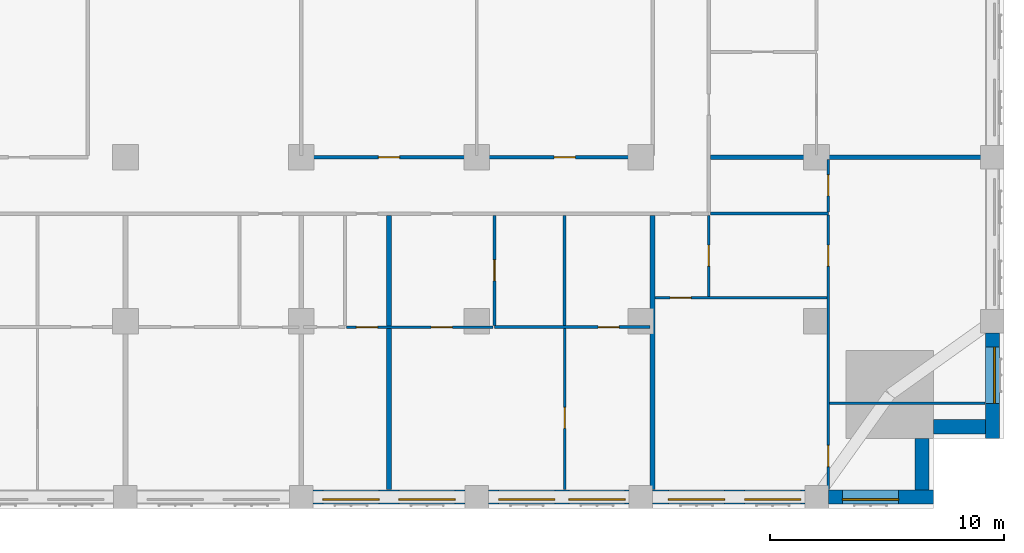
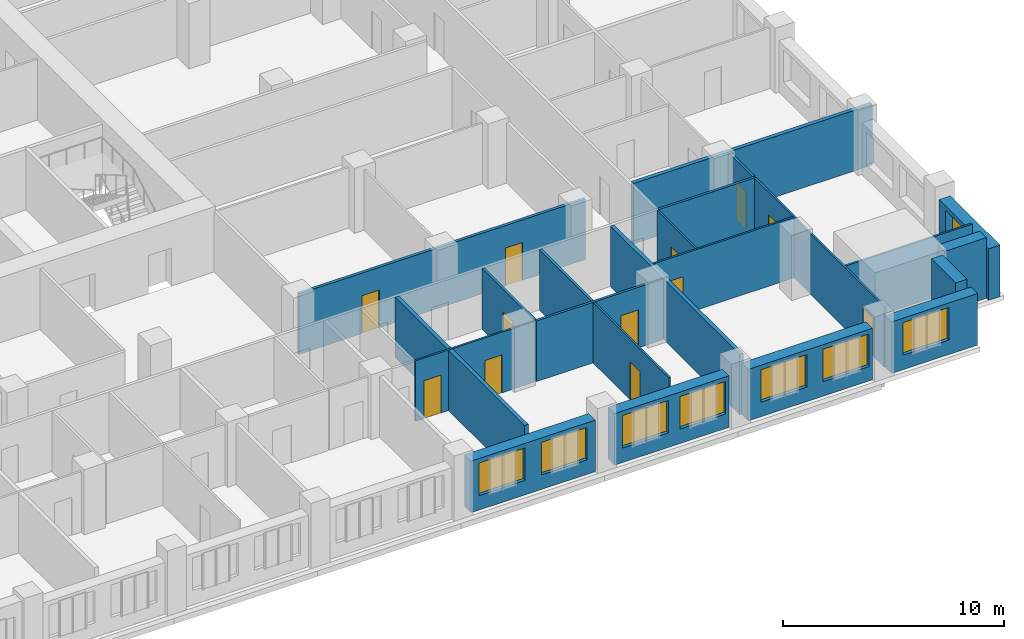
# One storey, part 6 of 14: 22 walls, 12 doors, 8 windows, 20 openings.
"""IFC4 building model written with IfcOpenShell, lengths in metres."""

from ifc_helpers import new_model, si_unit, direction, frame, frame_2d, origin, place, context, subcontext, project, spatial, rectangle, extrude, material, layer, layer_set, type_object, element, fill, save


model = new_model("IFC4")

# Units and contexts
model_context = context("Model", 3, precision=1e-05, world=origin(), true_north=direction((0.0, 1.0)))
body_context = subcontext(model_context, "Body", "Model", "MODEL_VIEW")
ifc_project = project(units=[si_unit("LENGTHUNIT", "METRE"), si_unit("AREAUNIT", "SQUARE_METRE"), si_unit("VOLUMEUNIT", "CUBIC_METRE"), si_unit("PLANEANGLEUNIT", "RADIAN"), si_unit("MASSUNIT", "GRAM", prefix="KILO")], contexts=[model_context])

# Site, building, storey
site_placement = place(None, origin())
site = spatial("IfcSite", under=ifc_project, at=site_placement, CompositionType="ELEMENT")
building_placement = place(site_placement, origin())
building = spatial("IfcBuilding", under=site, at=building_placement, Name="Tamorin Gate", CompositionType="ELEMENT")
storey_placement = place(building_placement, frame((0.0, 0.0, 107.89990234375)))
storey = spatial("IfcBuildingStorey", under=building, at=storey_placement, Name="L26", CompositionType="ELEMENT", Elevation=107.89990234375)

# Wall, openings, windows
ifc_material_1 = material(Name="Precast concrete C40/50", Category="concrete")
ifc_layer_1 = layer(ifc_material_1, 0.60009765625)
ifc_layer_set_1 = layer_set([ifc_layer_1], Name="Precast concrete C40/50")
wall_type_1 = type_object("IfcWallType", Name="Board-marked concrete facade panel 600", PredefinedType="SOLIDWALL", material=ifc_layer_set_1)
wall_1_placement = place(storey_placement, frame((60.5, 38.0, 0.0), z_axis=(0.0, 0.0, 1.0), x_axis=(1.0, 0.0, 0.0)))
wall_1 = element("IfcWall", 1, at=wall_1_placement, inside=storey, type_object=wall_type_1, Name="Facade panel", PredefinedType="SOLIDWALL", context=body_context, shape_type="SweptSolid", body=[
    extrude(rectangle(XDim=6.5, YDim=0.60009765625, at=frame_2d((3.25, 0.0))), origin(), (0.0, 0.0, 1.0), 2.85009765625),
])
opening_1_placement = place(wall_1_placement, frame((0.425048828125, 0.0, 0.800048828125)))
opening_1 = element("IfcOpeningElement", 2, at=opening_1_placement, cuts=wall_1, Name="Opening WN1", PredefinedType="OPENING", context=body_context, shape_type="SweptSolid", body=[
    extrude(rectangle(XDim=2.39990234375, YDim=1.800048828125, at=frame_2d((1.199951171875, 0.89990234375))), frame((0.0, 0.31005859375, 0.0), z_axis=(0.0, -1.0, 0.0), x_axis=(1.0, 0.0, 0.0)), (0.0, 0.0, 1.0), 0.6201171875),
])
opening_2_placement = place(wall_1_placement, frame((3.675048828125, 0.0, 0.800048828125)))
opening_2 = element("IfcOpeningElement", 3, at=opening_2_placement, cuts=wall_1, Name="Opening WN1", PredefinedType="OPENING", context=body_context, shape_type="SweptSolid", body=[
    extrude(rectangle(XDim=2.39990234375, YDim=1.800048828125, at=frame_2d((1.199951171875, 0.89990234375))), frame((0.0, 0.31005859375, 0.0), z_axis=(0.0, -1.0, 0.0), x_axis=(1.0, 0.0, 0.0)), (0.0, 0.0, 1.0), 0.6201171875),
])
ifc_material_2 = material(Name="Clear glass in aluminium frame", Category="aluminium")
window_type = type_object("IfcWindowType", Name="Deep-set window 2400x1800", PartitioningType="SINGLE_PANEL", PredefinedType="WINDOW", material=ifc_material_2)
window_1_placement = place(opening_1_placement, origin())
window_1 = element("IfcWindow", 4, at=window_1_placement, inside=storey, type_object=window_type, Name="Deep-set window", OverallHeight=1.800048828125, OverallWidth=2.39990234375, PartitioningType="SINGLE_PANEL", PredefinedType="WINDOW", context=body_context, shape_type="SweptSolid", body=[
    extrude(rectangle(XDim=2.39990234375, YDim=1.800048828125, at=frame_2d((1.199951171875, 0.89990234375))), frame((0.0, -0.070068359375, 0.0), z_axis=(0.0, -1.0, 0.0), x_axis=(1.0, 0.0, 0.0)), (0.0, 0.0, 1.0), 0.06005859375),
])
fill(opening_1, window_1)
window_2_placement = place(opening_2_placement, origin())
window_2 = element("IfcWindow", 5, at=window_2_placement, inside=storey, type_object=window_type, Name="Deep-set window", OverallHeight=1.800048828125, OverallWidth=2.39990234375, PartitioningType="SINGLE_PANEL", PredefinedType="WINDOW", context=body_context, shape_type="SweptSolid", body=[
    extrude(rectangle(XDim=2.39990234375, YDim=1.800048828125, at=frame_2d((1.199951171875, 0.89990234375))), frame((0.0, -0.070068359375, 0.0), z_axis=(0.0, -1.0, 0.0), x_axis=(1.0, 0.0, 0.0)), (0.0, 0.0, 1.0), 0.06005859375),
])
fill(opening_2, window_2)

wall_2_placement = place(storey_placement, frame((68.0, 38.0, 0.0), z_axis=(0.0, 0.0, 1.0), x_axis=(1.0, 0.0, 0.0)))
wall_2 = element("IfcWall", 6, at=wall_2_placement, inside=storey, type_object=wall_type_1, Name="Facade panel", PredefinedType="SOLIDWALL", context=body_context, shape_type="SweptSolid", body=[
    extrude(rectangle(XDim=6.0, YDim=0.60009765625, at=frame_2d((3.0, 0.0))), origin(), (0.0, 0.0, 1.0), 2.85009765625),
])
opening_3_placement = place(wall_2_placement, frame((0.425048828125, 0.0, 0.800048828125)))
opening_3 = element("IfcOpeningElement", 7, at=opening_3_placement, cuts=wall_2, Name="Opening WN1", PredefinedType="OPENING", context=body_context, shape_type="SweptSolid", body=[
    extrude(rectangle(XDim=2.39990234375, YDim=1.800048828125, at=frame_2d((1.199951171875, 0.89990234375))), frame((0.0, 0.31005859375, 0.0), z_axis=(0.0, -1.0, 0.0), x_axis=(1.0, 0.0, 0.0)), (0.0, 0.0, 1.0), 0.6201171875),
])
opening_4_placement = place(wall_2_placement, frame((3.425048828125, 0.0, 0.800048828125)))
opening_4 = element("IfcOpeningElement", 8, at=opening_4_placement, cuts=wall_2, Name="Opening WN1", PredefinedType="OPENING", context=body_context, shape_type="SweptSolid", body=[
    extrude(rectangle(XDim=2.39990234375, YDim=1.800048828125, at=frame_2d((1.199951171875, 0.89990234375))), frame((0.0, 0.31005859375, 0.0), z_axis=(0.0, -1.0, 0.0), x_axis=(1.0, 0.0, 0.0)), (0.0, 0.0, 1.0), 0.6201171875),
])
window_3_placement = place(opening_3_placement, origin())
window_3 = element("IfcWindow", 9, at=window_3_placement, inside=storey, type_object=window_type, Name="Deep-set window", OverallHeight=1.800048828125, OverallWidth=2.39990234375, PartitioningType="SINGLE_PANEL", PredefinedType="WINDOW", context=body_context, shape_type="SweptSolid", body=[
    extrude(rectangle(XDim=2.39990234375, YDim=1.800048828125, at=frame_2d((1.199951171875, 0.89990234375))), frame((0.0, -0.070068359375, 0.0), z_axis=(0.0, -1.0, 0.0), x_axis=(1.0, 0.0, 0.0)), (0.0, 0.0, 1.0), 0.06005859375),
])
fill(opening_3, window_3)
window_4_placement = place(opening_4_placement, origin())
window_4 = element("IfcWindow", 10, at=window_4_placement, inside=storey, type_object=window_type, Name="Deep-set window", OverallHeight=1.800048828125, OverallWidth=2.39990234375, PartitioningType="SINGLE_PANEL", PredefinedType="WINDOW", context=body_context, shape_type="SweptSolid", body=[
    extrude(rectangle(XDim=2.39990234375, YDim=1.800048828125, at=frame_2d((1.199951171875, 0.89990234375))), frame((0.0, -0.070068359375, 0.0), z_axis=(0.0, -1.0, 0.0), x_axis=(1.0, 0.0, 0.0)), (0.0, 0.0, 1.0), 0.06005859375),
])
fill(opening_4, window_4)

wall_3_placement = place(storey_placement, frame((75.0, 38.0, 0.0), z_axis=(0.0, 0.0, 1.0), x_axis=(1.0, 0.0, 0.0)))
wall_3 = element("IfcWall", 11, at=wall_3_placement, inside=storey, type_object=wall_type_1, Name="Facade panel", PredefinedType="SOLIDWALL", context=body_context, shape_type="SweptSolid", body=[
    extrude(rectangle(XDim=6.5, YDim=0.60009765625, at=frame_2d((3.25, 0.0))), origin(), (0.0, 0.0, 1.0), 2.85009765625),
])
opening_5_placement = place(wall_3_placement, frame((0.675048828125, 0.0, 0.800048828125)))
opening_5 = element("IfcOpeningElement", 12, at=opening_5_placement, cuts=wall_3, Name="Opening WN1", PredefinedType="OPENING", context=body_context, shape_type="SweptSolid", body=[
    extrude(rectangle(XDim=2.39990234375, YDim=1.800048828125, at=frame_2d((1.199951171875, 0.89990234375))), frame((0.0, 0.31005859375, 0.0), z_axis=(0.0, -1.0, 0.0), x_axis=(1.0, 0.0, 0.0)), (0.0, 0.0, 1.0), 0.6201171875),
])
opening_6_placement = place(wall_3_placement, frame((3.925048828125, 0.0, 0.800048828125)))
opening_6 = element("IfcOpeningElement", 13, at=opening_6_placement, cuts=wall_3, Name="Opening WN1", PredefinedType="OPENING", context=body_context, shape_type="SweptSolid", body=[
    extrude(rectangle(XDim=2.39990234375, YDim=1.800048828125, at=frame_2d((1.199951171875, 0.89990234375))), frame((0.0, 0.31005859375, 0.0), z_axis=(0.0, -1.0, 0.0), x_axis=(1.0, 0.0, 0.0)), (0.0, 0.0, 1.0), 0.6201171875),
])
window_5_placement = place(opening_5_placement, origin())
window_5 = element("IfcWindow", 14, at=window_5_placement, inside=storey, type_object=window_type, Name="Deep-set window", OverallHeight=1.800048828125, OverallWidth=2.39990234375, PartitioningType="SINGLE_PANEL", PredefinedType="WINDOW", context=body_context, shape_type="SweptSolid", body=[
    extrude(rectangle(XDim=2.39990234375, YDim=1.800048828125, at=frame_2d((1.199951171875, 0.89990234375))), frame((0.0, -0.070068359375, 0.0), z_axis=(0.0, -1.0, 0.0), x_axis=(1.0, 0.0, 0.0)), (0.0, 0.0, 1.0), 0.06005859375),
])
fill(opening_5, window_5)
window_6_placement = place(opening_6_placement, origin())
window_6 = element("IfcWindow", 15, at=window_6_placement, inside=storey, type_object=window_type, Name="Deep-set window", OverallHeight=1.800048828125, OverallWidth=2.39990234375, PartitioningType="SINGLE_PANEL", PredefinedType="WINDOW", context=body_context, shape_type="SweptSolid", body=[
    extrude(rectangle(XDim=2.39990234375, YDim=1.800048828125, at=frame_2d((1.199951171875, 0.89990234375))), frame((0.0, -0.070068359375, 0.0), z_axis=(0.0, -1.0, 0.0), x_axis=(1.0, 0.0, 0.0)), (0.0, 0.0, 1.0), 0.06005859375),
])
fill(opening_6, window_6)

# Wall, opening, window
wall_4_placement = place(storey_placement, frame((82.5, 38.0, 0.0), z_axis=(0.0, 0.0, 1.0), x_axis=(1.0, 0.0, 0.0)))
wall_4 = element("IfcWall", 16, at=wall_4_placement, inside=storey, type_object=wall_type_1, Name="Facade panel", PredefinedType="SOLIDWALL", context=body_context, shape_type="SweptSolid", body=[
    extrude(rectangle(XDim=4.5, YDim=0.60009765625, at=frame_2d((2.25, 0.0))), origin(), (0.0, 0.0, 1.0), 2.85009765625),
])
opening_7_placement = place(wall_4_placement, frame((0.60009765625, 0.0, 0.800048828125)))
opening_7 = element("IfcOpeningElement", 17, at=opening_7_placement, cuts=wall_4, Name="Opening WN1", PredefinedType="OPENING", context=body_context, shape_type="SweptSolid", body=[
    extrude(rectangle(XDim=2.39990234375, YDim=1.800048828125, at=frame_2d((1.199951171875, 0.89990234375))), frame((0.0, 0.31005859375, 0.0), z_axis=(0.0, -1.0, 0.0), x_axis=(1.0, 0.0, 0.0)), (0.0, 0.0, 1.0), 0.6201171875),
])
window_7_placement = place(opening_7_placement, origin())
window_7 = element("IfcWindow", 18, at=window_7_placement, inside=storey, type_object=window_type, Name="Deep-set window", OverallHeight=1.800048828125, OverallWidth=2.39990234375, PartitioningType="SINGLE_PANEL", PredefinedType="WINDOW", context=body_context, shape_type="SweptSolid", body=[
    extrude(rectangle(XDim=2.39990234375, YDim=1.800048828125, at=frame_2d((1.199951171875, 0.89990234375))), frame((0.0, -0.070068359375, 0.0), z_axis=(0.0, -1.0, 0.0), x_axis=(1.0, 0.0, 0.0)), (0.0, 0.0, 1.0), 0.06005859375),
])
fill(opening_7, window_7)

# Walls
for number, where, z_axis, x_axis, name in (
    (19, (86.5, 38.300048828125, 0.0), (0.0, 0.0, 1.0), (0.0, 1.0, 0.0), "Facade panel"),
    (20, (87.0, 41.0, 0.0), (0.0, 0.0, 1.0), (1.0, 0.0, 0.0), "Facade panel"),
):
    element("IfcWall", number, at=place(storey_placement, frame(where, z_axis=z_axis, x_axis=x_axis)), inside=storey, type_object=wall_type_1, Name=name, PredefinedType="SOLIDWALL", context=body_context, shape_type="SweptSolid", body=[
        extrude(rectangle(XDim=2.199951171875, YDim=0.60009765625, at=frame_2d((1.10009765625, 0.0))), origin(), (0.0, 0.0, 1.0), 3.35009765625),
    ])

# Wall, opening, window
wall_5_placement = place(storey_placement, frame((89.5, 40.5, 0.0), z_axis=(0.0, 0.0, 1.0), x_axis=(0.0, 1.0, 0.0)))
wall_5 = element("IfcWall", 21, at=wall_5_placement, inside=storey, type_object=wall_type_1, Name="Facade panel", PredefinedType="SOLIDWALL", context=body_context, shape_type="SweptSolid", body=[
    extrude(rectangle(XDim=4.5, YDim=0.60009765625, at=frame_2d((2.25, 0.0))), origin(), (0.0, 0.0, 1.0), 2.85009765625),
])
opening_8_placement = place(wall_5_placement, frame((1.5, 0.0, 0.800048828125)))
opening_8 = element("IfcOpeningElement", 22, at=opening_8_placement, cuts=wall_5, Name="Opening WN1", PredefinedType="OPENING", context=body_context, shape_type="SweptSolid", body=[
    extrude(rectangle(XDim=2.39990234375, YDim=1.800048828125, at=frame_2d((1.199951171875, 0.89990234375))), frame((0.0, 0.31005859375, 0.0), z_axis=(0.0, -1.0, 0.0), x_axis=(1.0, 0.0, 0.0)), (0.0, 0.0, 1.0), 0.6201171875),
])
window_8_placement = place(opening_8_placement, origin())
window_8 = element("IfcWindow", 23, at=window_8_placement, inside=storey, type_object=window_type, Name="Deep-set window", OverallHeight=1.800048828125, OverallWidth=2.39990234375, PartitioningType="SINGLE_PANEL", PredefinedType="WINDOW", context=body_context, shape_type="SweptSolid", body=[
    extrude(rectangle(XDim=2.39990234375, YDim=1.800048828125, at=frame_2d((1.199951171875, 0.89990234375))), frame((0.0, -0.070068359375, 0.0), z_axis=(0.0, -1.0, 0.0), x_axis=(1.0, 0.0, 0.0)), (0.0, 0.0, 1.0), 0.06005859375),
])
fill(opening_8, window_8)

# Wall, openings, doors
ifc_material_3 = material(Name="Gypsum board partition")
ifc_layer_2 = layer(ifc_material_3, 0.14990234375)
ifc_layer_set_2 = layer_set([ifc_layer_2], Name="Corridor wall 150")
wall_type_2 = type_object("IfcWallType", Name="Corridor wall 150", PredefinedType="PARTITIONING", material=ifc_layer_set_2)
wall_6_placement = place(storey_placement, frame((60.0, 52.5, 0.0), z_axis=(0.0, 0.0, 1.0), x_axis=(1.0, 0.0, 0.0)))
wall_6 = element("IfcWall", 24, at=wall_6_placement, inside=storey, type_object=wall_type_2, Name="Corridor wall 150", PredefinedType="PARTITIONING", context=body_context, shape_type="SweptSolid", body=[
    extrude(rectangle(XDim=15.0, YDim=0.14990234375, at=frame_2d((7.5, 0.0))), origin(), (0.0, 0.0, 1.0), 3.35009765625),
])
opening_9_placement = place(wall_6_placement, frame((3.300048828125, 0.0, 0.0)))
opening_9 = element("IfcOpeningElement", 25, at=opening_9_placement, cuts=wall_6, Name="Opening DH5074", PredefinedType="OPENING", context=body_context, shape_type="SweptSolid", body=[
    extrude(rectangle(XDim=0.89990234375, YDim=2.10009765625, at=frame_2d((0.449951171875, 1.050048828125))), frame((0.0, 0.0849609375, 0.0), z_axis=(0.0, -1.0, 0.0), x_axis=(1.0, 0.0, 0.0)), (0.0, 0.0, 1.0), 0.169921875),
])
opening_10_placement = place(wall_6_placement, frame((10.800048828125, 0.0, 0.0)))
opening_10 = element("IfcOpeningElement", 26, at=opening_10_placement, cuts=wall_6, Name="Opening DH5075", PredefinedType="OPENING", context=body_context, shape_type="SweptSolid", body=[
    extrude(rectangle(XDim=0.89990234375, YDim=2.10009765625, at=frame_2d((0.449951171875, 1.050048828125))), frame((0.0, 0.0849609375, 0.0), z_axis=(0.0, -1.0, 0.0), x_axis=(1.0, 0.0, 0.0)), (0.0, 0.0, 1.0), 0.169921875),
])
ifc_material_4 = material(Name="Timber door leaf", Category="wood")
door_type_1 = type_object("IfcDoorType", Name="Door 900 x 2100 FD30S", OperationType="NOTDEFINED", PredefinedType="DOOR", material=ifc_material_4)
door_1_placement = place(opening_9_placement, origin())
door_1 = element("IfcDoor", 27, at=door_1_placement, inside=storey, type_object=door_type_1, Name="Door DH5074", OperationType="SINGLE_SWING_LEFT", OverallHeight=2.10009765625, OverallWidth=0.89990234375, PredefinedType="DOOR", context=body_context, shape_type="SweptSolid", body=[
    extrude(rectangle(XDim=0.89990234375, YDim=2.10009765625, at=frame_2d((0.449951171875, 1.050048828125))), frame((0.0, 0.02490234375, 0.0), z_axis=(0.0, -1.0, 0.0), x_axis=(1.0, 0.0, 0.0)), (0.0, 0.0, 1.0), 0.050048828125),
])
fill(opening_9, door_1)
door_2_placement = place(opening_10_placement, origin())
door_2 = element("IfcDoor", 28, at=door_2_placement, inside=storey, type_object=door_type_1, Name="Door DH5075", OperationType="SINGLE_SWING_LEFT", OverallHeight=2.10009765625, OverallWidth=0.89990234375, PredefinedType="DOOR", context=body_context, shape_type="SweptSolid", body=[
    extrude(rectangle(XDim=0.89990234375, YDim=2.10009765625, at=frame_2d((0.449951171875, 1.050048828125))), frame((0.0, 0.02490234375, 0.0), z_axis=(0.0, -1.0, 0.0), x_axis=(1.0, 0.0, 0.0)), (0.0, 0.0, 1.0), 0.050048828125),
])
fill(opening_10, door_2)

# Walls
ifc_layer_3 = layer(ifc_material_3, 0.199951171875)
ifc_layer_set_3 = layer_set([ifc_layer_3], Name="Demising wall 200")
wall_type_3 = type_object("IfcWallType", Name="Demising wall 200", PredefinedType="PARTITIONING", material=ifc_layer_set_3)
wall_7_placement = place(storey_placement, frame((77.47509765625, 52.5, 0.0), z_axis=(0.0, 0.0, 1.0), x_axis=(1.0, 0.0, 0.0)))
element("IfcWall", 29, at=wall_7_placement, inside=storey, type_object=wall_type_3, Name="Demising wall 200", PredefinedType="PARTITIONING", context=body_context, shape_type="SweptSolid", body=[
    extrude(rectangle(XDim=12.52490234375, YDim=0.199951171875, at=frame_2d((6.262451171875, 0.0))), origin(), (0.0, 0.0, 1.0), 3.35009765625),
])
for number, where, z_axis, x_axis, name in (
    (30, (63.75, 38.31005859375, 0.0), (0.0, 0.0, 1.0), (0.0, 1.0, 0.0), "Demising wall 200"),
    (31, (75.0, 38.31005859375, 0.0), (0.0, 0.0, 1.0), (0.0, 1.0, 0.0), "Demising wall 200"),
):
    element("IfcWall", number, at=place(storey_placement, frame(where, z_axis=z_axis, x_axis=x_axis)), inside=storey, type_object=wall_type_3, Name=name, PredefinedType="PARTITIONING", context=body_context, shape_type="SweptSolid", body=[
        extrude(rectangle(XDim=11.71484375, YDim=0.199951171875, at=frame_2d((5.857421875, 0.0))), origin(), (0.0, 0.0, 1.0), 3.35009765625),
    ])
ifc_layer_4 = layer(ifc_material_3, 0.10009765625)
ifc_layer_set_4 = layer_set([ifc_layer_4], Name="Room partition 100")
wall_type_4 = type_object("IfcWallType", Name="Room partition 100", PredefinedType="PARTITIONING", material=ifc_layer_set_4)
wall_8_placement = place(storey_placement, frame((82.550048828125, 42.0, 0.0), z_axis=(0.0, 0.0, 1.0), x_axis=(1.0, 0.0, 0.0)))
element("IfcWall", 32, at=wall_8_placement, inside=storey, type_object=wall_type_4, Name="Room partition 100", PredefinedType="PARTITIONING", context=body_context, shape_type="SweptSolid", body=[
    extrude(rectangle(XDim=6.639892578125, YDim=0.10009765625, at=frame_2d((3.31982421875, 0.0))), origin(), (0.0, 0.0, 1.0), 3.35009765625),
])

# Wall, openings, doors
wall_9_placement = place(storey_placement, frame((61.9375, 45.25, 0.0), z_axis=(0.0, 0.0, 1.0), x_axis=(1.0, 0.0, 0.0)))
wall_9 = element("IfcWall", 33, at=wall_9_placement, inside=storey, type_object=wall_type_4, Name="Room partition 100", PredefinedType="PARTITIONING", context=body_context, shape_type="SweptSolid", body=[
    extrude(rectangle(XDim=6.25, YDim=0.10009765625, at=frame_2d((3.125, 0.0))), origin(), (0.0, 0.0, 1.0), 3.35009765625),
])
opening_11_placement = place(wall_9_placement, frame((0.425048828125, 0.0, 0.0)))
opening_11 = element("IfcOpeningElement", 34, at=opening_11_placement, cuts=wall_9, Name="Opening DH5015", PredefinedType="OPENING", context=body_context, shape_type="SweptSolid", body=[
    extrude(rectangle(XDim=0.89990234375, YDim=2.10009765625, at=frame_2d((0.449951171875, 1.050048828125))), frame((0.0, 0.06005859375, 0.0), z_axis=(0.0, -1.0, 0.0), x_axis=(1.0, 0.0, 0.0)), (0.0, 0.0, 1.0), 0.1201171875),
])
opening_12_placement = place(wall_9_placement, frame((3.612548828125, 0.0, 0.0)))
opening_12 = element("IfcOpeningElement", 35, at=opening_12_placement, cuts=wall_9, Name="Opening DH5017", PredefinedType="OPENING", context=body_context, shape_type="SweptSolid", body=[
    extrude(rectangle(XDim=0.89990234375, YDim=2.10009765625, at=frame_2d((0.449951171875, 1.050048828125))), frame((0.0, 0.06005859375, 0.0), z_axis=(0.0, -1.0, 0.0), x_axis=(1.0, 0.0, 0.0)), (0.0, 0.0, 1.0), 0.1201171875),
])
door_type_2 = type_object("IfcDoorType", Name="Door 900 x 2100", OperationType="NOTDEFINED", PredefinedType="DOOR", material=ifc_material_4)
door_3_placement = place(opening_11_placement, origin())
door_3 = element("IfcDoor", 36, at=door_3_placement, inside=storey, type_object=door_type_2, Name="Door DH5015", OperationType="SINGLE_SWING_LEFT", OverallHeight=2.10009765625, OverallWidth=0.89990234375, PredefinedType="DOOR", context=body_context, shape_type="SweptSolid", body=[
    extrude(rectangle(XDim=0.89990234375, YDim=2.10009765625, at=frame_2d((0.449951171875, 1.050048828125))), frame((0.0, 0.02490234375, 0.0), z_axis=(0.0, -1.0, 0.0), x_axis=(1.0, 0.0, 0.0)), (0.0, 0.0, 1.0), 0.050048828125),
])
fill(opening_11, door_3)
door_4_placement = place(opening_12_placement, origin())
door_4 = element("IfcDoor", 37, at=door_4_placement, inside=storey, type_object=door_type_2, Name="Door DH5017", OperationType="SINGLE_SWING_LEFT", OverallHeight=2.10009765625, OverallWidth=0.89990234375, PredefinedType="DOOR", context=body_context, shape_type="SweptSolid", body=[
    extrude(rectangle(XDim=0.89990234375, YDim=2.10009765625, at=frame_2d((0.449951171875, 1.050048828125))), frame((0.0, 0.02490234375, 0.0), z_axis=(0.0, -1.0, 0.0), x_axis=(1.0, 0.0, 0.0)), (0.0, 0.0, 1.0), 0.050048828125),
])
fill(opening_12, door_4)

# Wall, opening, door
wall_10_placement = place(storey_placement, frame((75.10009765625, 46.5, 0.0), z_axis=(0.0, 0.0, 1.0), x_axis=(1.0, 0.0, 0.0)))
wall_10 = element("IfcWall", 38, at=wall_10_placement, inside=storey, type_object=wall_type_4, Name="Room partition 100", PredefinedType="PARTITIONING", context=body_context, shape_type="SweptSolid", body=[
    extrude(rectangle(XDim=7.349853515625, YDim=0.10009765625, at=frame_2d((3.6748046875, 0.0))), origin(), (0.0, 0.0, 1.0), 3.35009765625),
])
opening_13_placement = place(wall_10_placement, frame((0.64990234375, 0.0, 0.0)))
opening_13 = element("IfcOpeningElement", 39, at=opening_13_placement, cuts=wall_10, Name="Opening DH5061", PredefinedType="OPENING", context=body_context, shape_type="SweptSolid", body=[
    extrude(rectangle(XDim=0.89990234375, YDim=2.10009765625, at=frame_2d((0.449951171875, 1.050048828125))), frame((0.0, 0.06005859375, 0.0), z_axis=(0.0, -1.0, 0.0), x_axis=(1.0, 0.0, 0.0)), (0.0, 0.0, 1.0), 0.1201171875),
])
door_5_placement = place(opening_13_placement, origin())
door_5 = element("IfcDoor", 40, at=door_5_placement, inside=storey, type_object=door_type_2, Name="Door DH5061", OperationType="SINGLE_SWING_RIGHT", OverallHeight=2.10009765625, OverallWidth=0.89990234375, PredefinedType="DOOR", context=body_context, shape_type="SweptSolid", body=[
    extrude(rectangle(XDim=0.89990234375, YDim=2.10009765625, at=frame_2d((0.449951171875, 1.050048828125))), frame((0.0, 0.02490234375, 0.0), z_axis=(0.0, -1.0, 0.0), x_axis=(1.0, 0.0, 0.0)), (0.0, 0.0, 1.0), 0.050048828125),
])
fill(opening_13, door_5)

wall_11_placement = place(storey_placement, frame((71.25, 38.31005859375, 0.0), z_axis=(0.0, 0.0, 1.0), x_axis=(0.0, 1.0, 0.0)))
wall_11 = element("IfcWall", 41, at=wall_11_placement, inside=storey, type_object=wall_type_4, Name="Room partition 100", PredefinedType="PARTITIONING", context=body_context, shape_type="SweptSolid", body=[
    extrude(rectangle(XDim=6.87744140625, YDim=0.10009765625, at=frame_2d((3.438720703125, 0.0))), origin(), (0.0, 0.0, 1.0), 3.35009765625),
])
opening_14_placement = place(wall_11_placement, frame((2.614990234375, 0.0, 0.0)))
opening_14 = element("IfcOpeningElement", 42, at=opening_14_placement, cuts=wall_11, Name="Opening DH5020", PredefinedType="OPENING", context=body_context, shape_type="SweptSolid", body=[
    extrude(rectangle(XDim=0.89990234375, YDim=2.10009765625, at=frame_2d((0.449951171875, 1.050048828125))), frame((0.0, 0.06005859375, 0.0), z_axis=(0.0, -1.0, 0.0), x_axis=(1.0, 0.0, 0.0)), (0.0, 0.0, 1.0), 0.1201171875),
])
door_6_placement = place(opening_14_placement, origin())
door_6 = element("IfcDoor", 43, at=door_6_placement, inside=storey, type_object=door_type_2, Name="Door DH5020", OperationType="SINGLE_SWING_LEFT", OverallHeight=2.10009765625, OverallWidth=0.89990234375, PredefinedType="DOOR", context=body_context, shape_type="SweptSolid", body=[
    extrude(rectangle(XDim=0.89990234375, YDim=2.10009765625, at=frame_2d((0.449951171875, 1.050048828125))), frame((0.0, 0.02490234375, 0.0), z_axis=(0.0, -1.0, 0.0), x_axis=(1.0, 0.0, 0.0)), (0.0, 0.0, 1.0), 0.050048828125),
])
fill(opening_14, door_6)

wall_12_placement = place(storey_placement, frame((77.39990234375, 46.550048828125, 0.0), z_axis=(0.0, 0.0, 1.0), x_axis=(0.0, 1.0, 0.0)))
wall_12 = element("IfcWall", 44, at=wall_12_placement, inside=storey, type_object=wall_type_4, Name="Room partition 100", PredefinedType="PARTITIONING", context=body_context, shape_type="SweptSolid", body=[
    extrude(rectangle(XDim=3.474853515625, YDim=0.10009765625, at=frame_2d((1.7373046875, 0.0))), origin(), (0.0, 0.0, 1.0), 3.35009765625),
])
opening_15_placement = place(wall_12_placement, frame((1.300048828125, 0.0, 0.0)))
opening_15 = element("IfcOpeningElement", 45, at=opening_15_placement, cuts=wall_12, Name="Opening DH5062", PredefinedType="OPENING", context=body_context, shape_type="SweptSolid", body=[
    extrude(rectangle(XDim=0.89990234375, YDim=2.10009765625, at=frame_2d((0.449951171875, 1.050048828125))), frame((0.0, 0.06005859375, 0.0), z_axis=(0.0, -1.0, 0.0), x_axis=(1.0, 0.0, 0.0)), (0.0, 0.0, 1.0), 0.1201171875),
])
door_7_placement = place(opening_15_placement, origin())
door_7 = element("IfcDoor", 46, at=door_7_placement, inside=storey, type_object=door_type_2, Name="Door DH5062", OperationType="SINGLE_SWING_RIGHT", OverallHeight=2.10009765625, OverallWidth=0.89990234375, PredefinedType="DOOR", context=body_context, shape_type="SweptSolid", body=[
    extrude(rectangle(XDim=0.89990234375, YDim=2.10009765625, at=frame_2d((0.449951171875, 1.050048828125))), frame((0.0, 0.02490234375, 0.0), z_axis=(0.0, -1.0, 0.0), x_axis=(1.0, 0.0, 0.0)), (0.0, 0.0, 1.0), 0.050048828125),
])
fill(opening_15, door_7)

# Wall, openings, doors
wall_13_placement = place(storey_placement, frame((82.5, 38.31005859375, 0.0), z_axis=(0.0, 0.0, 1.0), x_axis=(0.0, 1.0, 0.0)))
wall_13 = element("IfcWall", 47, at=wall_13_placement, inside=storey, type_object=wall_type_4, Name="Room partition 100", PredefinedType="PARTITIONING", context=body_context, shape_type="SweptSolid", body=[
    extrude(rectangle(XDim=11.7275390625, YDim=0.10009765625, at=frame_2d((5.86376953125, 0.0))), origin(), (0.0, 0.0, 1.0), 3.35009765625),
])
opening_16_placement = place(wall_13_placement, frame((0.989990234375, 0.0, 0.0)))
opening_16 = element("IfcOpeningElement", 48, at=opening_16_placement, cuts=wall_13, Name="Opening DH5063", PredefinedType="OPENING", context=body_context, shape_type="SweptSolid", body=[
    extrude(rectangle(XDim=0.89990234375, YDim=2.10009765625, at=frame_2d((0.449951171875, 1.050048828125))), frame((0.0, 0.06005859375, 0.0), z_axis=(0.0, -1.0, 0.0), x_axis=(1.0, 0.0, 0.0)), (0.0, 0.0, 1.0), 0.1201171875),
])
opening_17_placement = place(wall_13_placement, frame((9.5400390625, 0.0, 0.0)))
opening_17 = element("IfcOpeningElement", 49, at=opening_17_placement, cuts=wall_13, Name="Opening DH5064", PredefinedType="OPENING", context=body_context, shape_type="SweptSolid", body=[
    extrude(rectangle(XDim=0.89990234375, YDim=2.10009765625, at=frame_2d((0.449951171875, 1.050048828125))), frame((0.0, 0.06005859375, 0.0), z_axis=(0.0, -1.0, 0.0), x_axis=(1.0, 0.0, 0.0)), (0.0, 0.0, 1.0), 0.1201171875),
])
door_8_placement = place(opening_16_placement, origin())
door_8 = element("IfcDoor", 50, at=door_8_placement, inside=storey, type_object=door_type_2, Name="Door DH5063", OperationType="SINGLE_SWING_LEFT", OverallHeight=2.10009765625, OverallWidth=0.89990234375, PredefinedType="DOOR", context=body_context, shape_type="SweptSolid", body=[
    extrude(rectangle(XDim=0.89990234375, YDim=2.10009765625, at=frame_2d((0.449951171875, 1.050048828125))), frame((0.0, 0.02490234375, 0.0), z_axis=(0.0, -1.0, 0.0), x_axis=(1.0, 0.0, 0.0)), (0.0, 0.0, 1.0), 0.050048828125),
])
fill(opening_16, door_8)
door_9_placement = place(opening_17_placement, origin())
door_9 = element("IfcDoor", 51, at=door_9_placement, inside=storey, type_object=door_type_2, Name="Door DH5064", OperationType="SINGLE_SWING_RIGHT", OverallHeight=2.10009765625, OverallWidth=0.89990234375, PredefinedType="DOOR", context=body_context, shape_type="SweptSolid", body=[
    extrude(rectangle(XDim=0.89990234375, YDim=2.10009765625, at=frame_2d((0.449951171875, 1.050048828125))), frame((0.0, 0.02490234375, 0.0), z_axis=(0.0, -1.0, 0.0), x_axis=(1.0, 0.0, 0.0)), (0.0, 0.0, 1.0), 0.050048828125),
])
fill(opening_17, door_9)

# Wall, opening, door
ifc_layer_5 = layer(ifc_material_3, 0.125)
ifc_layer_set_5 = layer_set([ifc_layer_5], Name="Wet wall 125")
wall_type_5 = type_object("IfcWallType", Name="Wet wall 125", PredefinedType="PARTITIONING", material=ifc_layer_set_5)
wall_14_placement = place(storey_placement, frame((68.25, 45.25, 0.0), z_axis=(0.0, 0.0, 1.0), x_axis=(1.0, 0.0, 0.0)))
wall_14 = element("IfcWall", 52, at=wall_14_placement, inside=storey, type_object=wall_type_5, Name="Wet wall 125", PredefinedType="PARTITIONING", context=body_context, shape_type="SweptSolid", body=[
    extrude(rectangle(XDim=6.64990234375, YDim=0.125, at=frame_2d((3.324951171875, 0.0))), origin(), (0.0, 0.0, 1.0), 3.35009765625),
])
opening_18_placement = place(wall_14_placement, frame((4.425048828125, 0.0, 0.0)))
opening_18 = element("IfcOpeningElement", 53, at=opening_18_placement, cuts=wall_14, Name="Opening DH5019", PredefinedType="OPENING", context=body_context, shape_type="SweptSolid", body=[
    extrude(rectangle(XDim=0.89990234375, YDim=2.10009765625, at=frame_2d((0.449951171875, 1.050048828125))), frame((0.0, 0.072509765625, 0.0), z_axis=(0.0, -1.0, 0.0), x_axis=(1.0, 0.0, 0.0)), (0.0, 0.0, 1.0), 0.14501953125),
])
door_10_placement = place(opening_18_placement, origin())
door_10 = element("IfcDoor", 54, at=door_10_placement, inside=storey, type_object=door_type_2, Name="Door DH5019", OperationType="SINGLE_SWING_LEFT", OverallHeight=2.10009765625, OverallWidth=0.89990234375, PredefinedType="DOOR", context=body_context, shape_type="SweptSolid", body=[
    extrude(rectangle(XDim=0.89990234375, YDim=2.10009765625, at=frame_2d((0.449951171875, 1.050048828125))), frame((0.0, 0.02490234375, 0.0), z_axis=(0.0, -1.0, 0.0), x_axis=(1.0, 0.0, 0.0)), (0.0, 0.0, 1.0), 0.050048828125),
])
fill(opening_18, door_10)

# Wall
wall_15_placement = place(storey_placement, frame((77.47509765625, 50.10009765625, 0.0), z_axis=(0.0, 0.0, 1.0), x_axis=(1.0, 0.0, 0.0)))
element("IfcWall", 55, at=wall_15_placement, inside=storey, type_object=wall_type_5, Name="Wet wall 125", PredefinedType="PARTITIONING", context=body_context, shape_type="SweptSolid", body=[
    extrude(rectangle(XDim=5.02490234375, YDim=0.125, at=frame_2d((2.512451171875, 0.0))), origin(), (0.0, 0.0, 1.0), 3.35009765625),
])

# Wall, opening, door
wall_16_placement = place(storey_placement, frame((68.25, 45.3125, 0.0), z_axis=(0.0, 0.0, 1.0), x_axis=(0.0, 1.0, 0.0)))
wall_16 = element("IfcWall", 56, at=wall_16_placement, inside=storey, type_object=wall_type_5, Name="Wet wall 125", PredefinedType="PARTITIONING", context=body_context, shape_type="SweptSolid", body=[
    extrude(rectangle(XDim=4.71240234375, YDim=0.125, at=frame_2d((2.356201171875, 0.0))), origin(), (0.0, 0.0, 1.0), 3.35009765625),
])
opening_19_placement = place(wall_16_placement, frame((1.91259765625, 0.0, 0.0)))
opening_19 = element("IfcOpeningElement", 57, at=opening_19_placement, cuts=wall_16, Name="Opening DH5018", PredefinedType="OPENING", context=body_context, shape_type="SweptSolid", body=[
    extrude(rectangle(XDim=0.89990234375, YDim=2.10009765625, at=frame_2d((0.449951171875, 1.050048828125))), frame((0.0, 0.072509765625, 0.0), z_axis=(0.0, -1.0, 0.0), x_axis=(1.0, 0.0, 0.0)), (0.0, 0.0, 1.0), 0.14501953125),
])
door_11_placement = place(opening_19_placement, origin())
door_11 = element("IfcDoor", 58, at=door_11_placement, inside=storey, type_object=door_type_2, Name="Door DH5018", OperationType="SINGLE_SWING_LEFT", OverallHeight=2.10009765625, OverallWidth=0.89990234375, PredefinedType="DOOR", context=body_context, shape_type="SweptSolid", body=[
    extrude(rectangle(XDim=0.89990234375, YDim=2.10009765625, at=frame_2d((0.449951171875, 1.050048828125))), frame((0.0, 0.02490234375, 0.0), z_axis=(0.0, -1.0, 0.0), x_axis=(1.0, 0.0, 0.0)), (0.0, 0.0, 1.0), 0.050048828125),
])
fill(opening_19, door_11)

# Wall
wall_17_placement = place(storey_placement, frame((71.25, 45.3125, 0.0), z_axis=(0.0, 0.0, 1.0), x_axis=(0.0, 1.0, 0.0)))
element("IfcWall", 59, at=wall_17_placement, inside=storey, type_object=wall_type_5, Name="Wet wall 125", PredefinedType="PARTITIONING", context=body_context, shape_type="SweptSolid", body=[
    extrude(rectangle(XDim=4.71240234375, YDim=0.125, at=frame_2d((2.356201171875, 0.0))), origin(), (0.0, 0.0, 1.0), 3.35009765625),
])

# Wall, opening, door
wall_18_placement = place(storey_placement, frame((82.5, 50.16259765625, 0.0), z_axis=(0.0, 0.0, 1.0), x_axis=(0.0, 1.0, 0.0)))
wall_18 = element("IfcWall", 60, at=wall_18_placement, inside=storey, type_object=wall_type_5, Name="Wet wall 125", PredefinedType="PARTITIONING", context=body_context, shape_type="SweptSolid", body=[
    extrude(rectangle(XDim=2.2373046875, YDim=0.125, at=frame_2d((1.11865234375, 0.0))), origin(), (0.0, 0.0, 1.0), 3.35009765625),
])
opening_20_placement = place(wall_18_placement, frame((0.6875, 0.0, 0.0)))
opening_20 = element("IfcOpeningElement", 61, at=opening_20_placement, cuts=wall_18, Name="Opening DH5065", PredefinedType="OPENING", context=body_context, shape_type="SweptSolid", body=[
    extrude(rectangle(XDim=0.89990234375, YDim=2.10009765625, at=frame_2d((0.449951171875, 1.050048828125))), frame((0.0, 0.072509765625, 0.0), z_axis=(0.0, -1.0, 0.0), x_axis=(1.0, 0.0, 0.0)), (0.0, 0.0, 1.0), 0.14501953125),
])
door_12_placement = place(opening_20_placement, origin())
door_12 = element("IfcDoor", 62, at=door_12_placement, inside=storey, type_object=door_type_2, Name="Door DH5065", OperationType="SINGLE_SWING_LEFT", OverallHeight=2.10009765625, OverallWidth=0.89990234375, PredefinedType="DOOR", context=body_context, shape_type="SweptSolid", body=[
    extrude(rectangle(XDim=0.89990234375, YDim=2.10009765625, at=frame_2d((0.449951171875, 1.050048828125))), frame((0.0, 0.02490234375, 0.0), z_axis=(0.0, -1.0, 0.0), x_axis=(1.0, 0.0, 0.0)), (0.0, 0.0, 1.0), 0.050048828125),
])
fill(opening_20, door_12)

save(model, "model.ifc")
